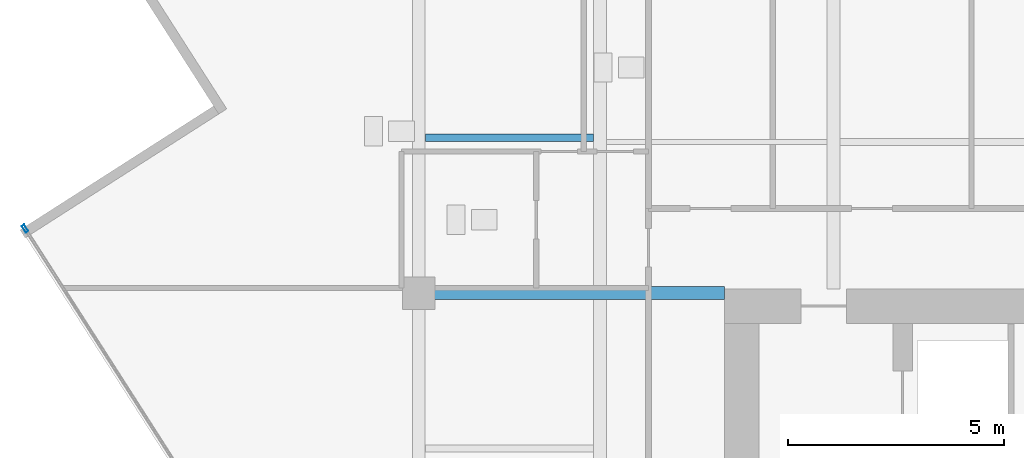
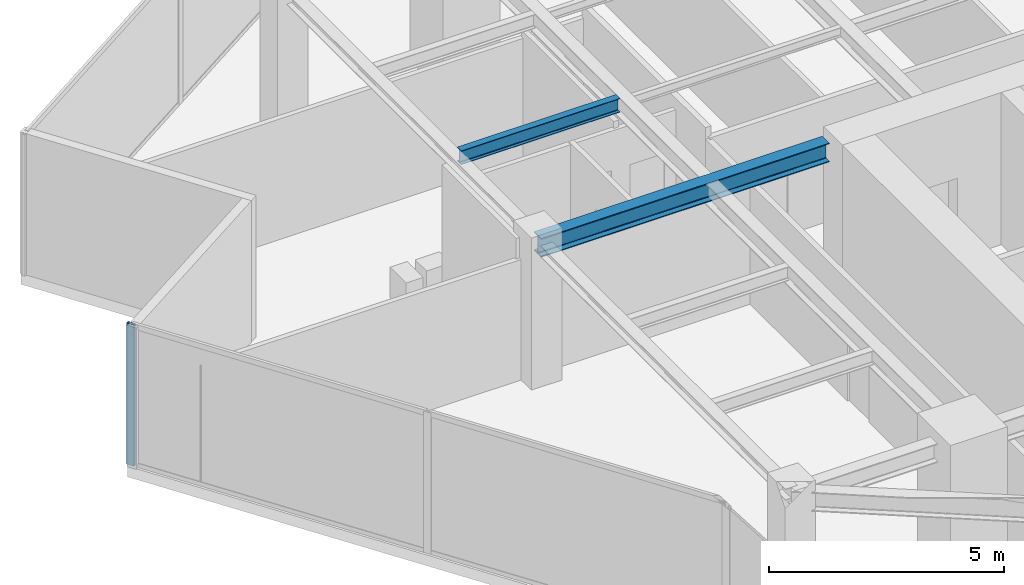
# One storey, part 6 of 20: 2 beams, 1 member, 1 element without a shape of its own.
"""IFC4 building model written with IfcOpenShell, lengths in metres."""

import ifcopenshell
import ifcopenshell.guid

model = None  # the IFC model being written
_history = None  # IfcOwnerHistory: only IFC2X3 demands one
_inside = {}  # id of a spatial element -> (the spatial element, [elements in it])
_under = {}  # id of a project, library or spatial element -> (it, [spatial elements below it])
_declared = {}  # id of a project -> (the project, [libraries it declares])
_typed = {}  # id of a type object -> (the type object, [elements of that type])
_made_of = {}  # id of a material, layer set ... -> (it, [elements and type objects made of it])


def new_model(schema):
    """Start an empty IFC model of exactly this schema.

    Asked for "IFC4X3", IfcOpenShell would pick the latest addendum, in which some entities
    have other attributes; the version numbers below select the first issue.
    IFC2X3 requires an IfcOwnerHistory on every rooted entity: one is made here for all.
    """
    global model, _history
    if schema == "IFC4X3":
        model = ifcopenshell.file(schema_version=(4, 3, 0, 0))
    else:
        model = ifcopenshell.file(schema=schema)
    _inside.clear()
    _under.clear()
    _declared.clear()
    _typed.clear()
    _made_of.clear()
    _history = None
    if model.schema == "IFC2X3":
        org = make("IfcOrganization", Name="unknown")
        user = make(
            "IfcPersonAndOrganization",
            ThePerson=make("IfcPerson", FamilyName="unknown"),
            TheOrganization=org,
        )
        app = make(
            "IfcApplication",
            ApplicationDeveloper=org,
            Version="unknown",
            ApplicationFullName="unknown",
            ApplicationIdentifier="unknown",
        )
        _history = make(
            "IfcOwnerHistory",
            OwningUser=user,
            OwningApplication=app,
            ChangeAction="ADDED",
            CreationDate=0,
        )
    return model


def make(cls, **values):
    """One entity of the class cls with the attributes given. An attribute that is None is left unset."""
    return model.create_entity(
        cls, **{name: value for name, value in values.items() if value is not None}
    )


def rooted(cls, **values):
    """An entity with a GlobalId (a new one), such as an element, a storey or a relation."""
    return make(cls, GlobalId=ifcopenshell.guid.new(), OwnerHistory=_history, **values)


def si_unit(unit_type, name, prefix=None):
    """IfcSIUnit, for example si_unit("LENGTHUNIT", "METRE", prefix="MILLI")."""
    return make("IfcSIUnit", UnitType=unit_type, Prefix=prefix, Name=name)


def assignment(units):
    """IfcUnitAssignment: the units of a project."""
    return None if units is None else make("IfcUnitAssignment", Units=units)


def point(xyz):
    """IfcCartesianPoint."""
    return None if xyz is None else make("IfcCartesianPoint", Coordinates=xyz)


def direction(xyz):
    """IfcDirection."""
    return None if xyz is None else make("IfcDirection", DirectionRatios=xyz)


def frame(location, z_axis=None, x_axis=None):
    """IfcAxis2Placement3D, a coordinate frame: its origin and axes. An axis left out is left unset."""
    return make(
        "IfcAxis2Placement3D",
        Location=point(location),
        Axis=direction(z_axis),
        RefDirection=direction(x_axis),
    )


def frame_2d(location, x_axis=None):
    """IfcAxis2Placement2D, a coordinate frame in the plane: its origin and x axis."""
    return make(
        "IfcAxis2Placement2D", Location=point(location), RefDirection=direction(x_axis)
    )


def origin():
    """The frame at (0, 0, 0) with its axes left unset."""
    return frame((0.0, 0.0, 0.0))


def origin_2d():
    """The frame at (0, 0) in the plane with its x axis left unset."""
    return frame_2d((0.0, 0.0))


def place(relative_to, where):
    """IfcLocalPlacement: puts the frame where relative to a parent placement (None: the world)."""
    return make(
        "IfcLocalPlacement", PlacementRelTo=relative_to, RelativePlacement=where
    )


def context(
    kind, dimensions, precision=None, world=None, true_north=None, identifier=None
):
    """IfcGeometricRepresentationContext, for example the 3D "Model" context."""
    return make(
        "IfcGeometricRepresentationContext",
        ContextIdentifier=identifier,
        ContextType=kind,
        CoordinateSpaceDimension=dimensions,
        Precision=precision,
        WorldCoordinateSystem=world,
        TrueNorth=true_north,
    )


def subcontext(parent, identifier, kind, view, scale=None):
    """IfcGeometricRepresentationSubContext, for example "Body" below "Model"."""
    return make(
        "IfcGeometricRepresentationSubContext",
        ContextIdentifier=identifier,
        ContextType=kind,
        ParentContext=parent,
        TargetScale=scale,
        TargetView=view,
    )


def project(units=None, contexts=None):
    """IfcProject with its units and contexts."""
    return rooted(
        "IfcProject",
        Name="project",
        RepresentationContexts=contexts,
        UnitsInContext=assignment(units),
    )


def spatial(cls, under=None, at=None, **own):
    """A site, building, storey or space (cls), placed at a placement, below another one or the project."""
    s = rooted(cls, ObjectPlacement=at, **own)
    if under is not None:
        _under.setdefault(under.id(), (under, []))[1].append(s)
    return s


def profile(cls, at=None, kind="AREA", **sizes):
    """A parametric profile (cls). Its sizes go by their IFC names, for example OverallWidth=200.0."""
    return make(cls, ProfileType=kind, Position=at, **sizes)


def hollow_rectangle(**sizes):
    """IfcRectangleHollowProfileDef."""
    return profile("IfcRectangleHollowProfileDef", **sizes)


def i_section(**sizes):
    """IfcIShapeProfileDef."""
    return profile("IfcIShapeProfileDef", **sizes)


def extrude(swept, where, along, depth):
    """IfcExtrudedAreaSolid: the profile swept, set in the frame where, extruded along a direction by depth."""
    return make(
        "IfcExtrudedAreaSolid",
        SweptArea=swept,
        Position=where,
        ExtrudedDirection=direction(along),
        Depth=depth,
    )


def shape(context_of_items, identifier, shape_type, items):
    """IfcShapeRepresentation: the items that make up one representation, for example the "Body"."""
    return make(
        "IfcShapeRepresentation",
        ContextOfItems=context_of_items,
        RepresentationIdentifier=identifier,
        RepresentationType=shape_type,
        Items=items,
    )


def source(mapping_origin, context_of_items, identifier, shape_type, items):
    """IfcRepresentationMap: a shape defined once, which mapped items show again and again."""
    return make(
        "IfcRepresentationMap",
        MappingOrigin=mapping_origin,
        MappedRepresentation=shape(context_of_items, identifier, shape_type, items),
    )


def transform(
    local_origin,
    x_axis=None,
    y_axis=None,
    z_axis=None,
    scale=None,
    scale2=None,
    scale3=None,
    uniform=True,
):
    """IfcCartesianTransformationOperator3D, or its non-uniform kind. x_axis, y_axis, z_axis: its Axis1, 2, 3."""
    if uniform:
        return make(
            "IfcCartesianTransformationOperator3D",
            Axis1=direction(x_axis),
            Axis2=direction(y_axis),
            LocalOrigin=point(local_origin),
            Scale=scale,
            Axis3=direction(z_axis),
        )
    return make(
        "IfcCartesianTransformationOperator3DnonUniform",
        Axis1=direction(x_axis),
        Axis2=direction(y_axis),
        LocalOrigin=point(local_origin),
        Scale=scale,
        Axis3=direction(z_axis),
        Scale2=scale2,
        Scale3=scale3,
    )


def mapped(mapping_source, mapping_target):
    """IfcMappedItem: shows the shape of a source again, moved by a transform."""
    return make(
        "IfcMappedItem", MappingSource=mapping_source, MappingTarget=mapping_target
    )


def material(Name=None, Category=None):
    """IfcMaterial."""
    return make("IfcMaterial", Name=Name, Category=Category)


def material_profile(
    of_material, cross_section, Name=None, Category=None, Priority=None
):
    """IfcMaterialProfile: a cross section and its material."""
    return make(
        "IfcMaterialProfile",
        Name=Name,
        Material=of_material,
        Profile=cross_section,
        Priority=Priority,
        Category=Category,
    )


def profile_set(profiles, Name=None, composite=None):
    """IfcMaterialProfileSet."""
    return make(
        "IfcMaterialProfileSet",
        Name=Name,
        MaterialProfiles=profiles,
        CompositeProfile=composite,
    )


def made_of(thing, what):
    """Note that an element or type object is made of a material, layer set ...; save() writes the relation."""
    if what is not None:
        _made_of.setdefault(what.id(), (what, []))[1].append(thing)
    return thing


def type_object(cls, material=None, **own):
    """A type object (cls), such as IfcWallType, which elements share."""
    return made_of(rooted(cls, **own), material)


def type_shapes(of_type, sources):
    """Give a type object the sources (RepresentationMaps) that its elements show as mapped items."""
    of_type.RepresentationMaps = sources


def element(
    cls,
    number,
    at=None,
    inside=None,
    cuts=None,
    type_object=None,
    material=None,
    context=None,
    identifier="Body",
    shape_type=None,
    held_by="IfcProductDefinitionShape",
    body=None,
    shapes=None,
    **own,
):
    """One element of the class cls, such as IfcWall. Its Tag is "e" and its number.

    at: its placement. inside: the storey or other place that contains it. cuts: it is an
    opening in that element (IfcRelVoidsElement). A single representation is given by context,
    identifier, shape_type and body (its items); several are given by shapes. held_by: the class
    of the entity that holds the representations. save() writes the other relations.
    """
    e = rooted(cls, Tag="e%d" % number, ObjectPlacement=at, **own)
    if body is not None:
        shapes = [shape(context, identifier, shape_type, body)]
    if shapes is not None:
        e.Representation = make(held_by, Representations=shapes)
    if inside is not None:
        _inside.setdefault(inside.id(), (inside, []))[1].append(e)
    if cuts is not None:
        rooted(
            "IfcRelVoidsElement", RelatingBuildingElement=cuts, RelatedOpeningElement=e
        )
    if type_object is not None:
        _typed.setdefault(type_object.id(), (type_object, []))[1].append(e)
    return made_of(e, material)


def aggregate(whole, parts):
    """IfcRelAggregates: a whole, such as a stair, and the parts it consists of."""
    return rooted("IfcRelAggregates", RelatingObject=whole, RelatedObjects=parts)


def save(model, path):
    """Write the relations noted so far, then the file.

    IfcRelAggregates (storeys below a building ...), IfcRelContainedInSpatialStructure (elements
    in a storey), IfcRelDefinesByType, IfcRelAssociatesMaterial and IfcRelDeclares: one each for
    every whole, place, type object, material and project.
    """
    for whole, parts in _under.values():
        aggregate(whole, parts)
    for where, things in _inside.values():
        rooted(
            "IfcRelContainedInSpatialStructure",
            RelatedElements=things,
            RelatingStructure=where,
        )
    for kind, things in _typed.values():
        rooted("IfcRelDefinesByType", RelatedObjects=things, RelatingType=kind)
    for what, things in _made_of.values():
        rooted("IfcRelAssociatesMaterial", RelatedObjects=things, RelatingMaterial=what)
    for by, libraries in _declared.values():
        rooted("IfcRelDeclares", RelatingContext=by, RelatedDefinitions=libraries)
    model.write(path)


model = new_model("IFC4")

# Units and contexts
model_context = context("Model", 3, precision=1e-05, world=origin(), true_north=direction((0.0, 1.0)))
body_context = subcontext(model_context, "Body", "Model", "MODEL_VIEW")
ifc_project = project(units=[si_unit("LENGTHUNIT", "METRE"), si_unit("AREAUNIT", "SQUARE_METRE"), si_unit("VOLUMEUNIT", "CUBIC_METRE"), si_unit("PLANEANGLEUNIT", "RADIAN"), si_unit("MASSUNIT", "GRAM", prefix="KILO")], contexts=[model_context])

# Site, building, storey
site_placement = place(None, origin())
site = spatial("IfcSite", under=ifc_project, at=site_placement, CompositionType="ELEMENT")
building_placement = place(site_placement, origin())
building = spatial("IfcBuilding", under=site, at=building_placement, Name="Krantzveldt Concourse Tower", CompositionType="ELEMENT")
storey_placement = place(building_placement, frame((0.0, 0.0, 291.10009765625)))
storey = spatial("IfcBuildingStorey", under=building, at=storey_placement, Name="L71", CompositionType="ELEMENT", Elevation=291.10009765625)

# Beams
ifc_material_1 = material(Name="Steel S355JR", Category="steel")
ifc_material_profile_1 = material_profile(ifc_material_1, i_section(OverallWidth=0.300048828125, OverallDepth=0.489990234375, WebThickness=0.011962890625, FlangeThickness=0.02294921875, FilletRadius=0.027099609375, at=origin_2d()), Name="Steel S355JR", Category="steel")
ifc_profile_set_1 = profile_set([ifc_material_profile_1], Name="Steel S355JR - HEA 500")
beam_type_1 = type_object("IfcBeamType", Name="BM-B-HEA500", PredefinedType="BEAM", material=ifc_profile_set_1)
shared_shape_1 = source(origin(), body_context, "Body", "SweptSolid", [
    extrude(i_section(OverallWidth=0.300048828125, OverallDepth=0.489990234375, WebThickness=0.011962890625, FlangeThickness=0.02294921875, FilletRadius=0.027099609375, at=origin_2d()), origin(), (0.0, 0.0, 1.0), 7.080078125),
])
type_shapes(beam_type_1, [shared_shape_1])
beam_1_placement = place(storey_placement, frame((21.0, 26.699951171875, 3.4248046875), z_axis=(1.0, 0.0, 0.0), x_axis=(0.0, 1.0, 0.0)))
element("IfcBeam", 1, at=beam_1_placement, inside=storey, type_object=beam_type_1, Name="L71 Tower Girder BG-CW2", PredefinedType="BEAM", context=body_context, shape_type="MappedRepresentation", body=[
    mapped(shared_shape_1, transform((0.0, 0.0, 0.0), x_axis=(1.0, 0.0, 0.0), y_axis=(0.0, 1.0, 0.0), z_axis=(0.0, 0.0, 1.0), scale=1.0)),
])
ifc_material_profile_2 = material_profile(ifc_material_1, i_section(OverallWidth=0.169921875, OverallDepth=0.360107421875, WebThickness=0.008056640625, FlangeThickness=0.0126953125, FilletRadius=0.01806640625, at=origin_2d()), Name="Steel S355JR", Category="steel")
ifc_profile_set_2 = profile_set([ifc_material_profile_2], Name="Steel S355JR - IPE 360")
beam_type_2 = type_object("IfcBeamType", Name="BM-J-IPE360", PredefinedType="JOIST", material=ifc_profile_set_2)
shared_shape_2 = source(origin(), body_context, "Body", "SweptSolid", [
    extrude(i_section(OverallWidth=0.169921875, OverallDepth=0.360107421875, WebThickness=0.008056640625, FlangeThickness=0.0126953125, FilletRadius=0.01806640625, at=origin_2d()), origin(), (0.0, 0.0, 1.0), 3.900146484375),
])
type_shapes(beam_type_2, [shared_shape_2])
beam_2_placement = place(storey_placement, frame((21.14990234375, 30.300048828125, 3.489990234375), z_axis=(1.0, 0.0, 0.0), x_axis=(0.0, 1.0, 0.0)))
element("IfcBeam", 2, at=beam_2_placement, inside=storey, type_object=beam_type_2, Name="L71 Secondary Floor Joist JW-3", PredefinedType="JOIST", context=body_context, shape_type="MappedRepresentation", body=[
    mapped(shared_shape_2, transform((0.0, 0.0, 0.0), x_axis=(1.0, 0.0, 0.0), y_axis=(0.0, 1.0, 0.0), z_axis=(0.0, 0.0, 1.0), scale=1.0)),
])

# Curtain wall, member
ifc_material_2 = material(Name="Anodised aluminium 6063-T6", Category="aluminium")
curtain_wall_type = type_object("IfcCurtainWallType", Name="CW4", PredefinedType="USERDEFINED", material=ifc_material_2)
curtain_wall_placement = place(storey_placement, origin())
curtain_wall = element("IfcCurtainWall", 3, at=curtain_wall_placement, inside=storey, type_object=curtain_wall_type, Name="CW-L71-F04", ObjectType="UNITISED CURTAIN WALL", PredefinedType="USERDEFINED")
ifc_material_profile_3 = material_profile(ifc_material_2, hollow_rectangle(XDim=0.070068359375, YDim=0.179931640625, WallThickness=0.0048828125, at=origin_2d()), Name="Anodised aluminium 6063-T6", Category="aluminium")
ifc_profile_set_3 = profile_set([ifc_material_profile_3], Name="Anodised aluminium 6063-T6 - ALU-MULL 180x70x5")
member_type = type_object("IfcMemberType", Name="CW-MUL-180", PredefinedType="MULLION", material=ifc_profile_set_3)
shared_shape_3 = source(origin(), body_context, "Body", "SweptSolid", [
    extrude(hollow_rectangle(XDim=0.070068359375, YDim=0.179931640625, WallThickness=0.0048828125, at=origin_2d()), origin(), (0.0, 0.0, 1.0), 3.669921875),
])
type_shapes(member_type, [shared_shape_3])
member_placement = place(storey_placement, frame((11.87744140625, 28.195556640625, 0.0), z_axis=(0.0, 0.0, 1.0), x_axis=(0.842217243088, 0.53913830827, 0.0)))
member = element("IfcMember", 4, at=member_placement, type_object=member_type, Name="CW-Z56 mullion 1", PredefinedType="MULLION", context=body_context, shape_type="MappedRepresentation", body=[
    mapped(shared_shape_3, transform((0.0, 0.0, 0.0), x_axis=(1.0, 0.0, 0.0), y_axis=(0.0, 1.0, 0.0), z_axis=(0.0, 0.0, 1.0), scale=1.0)),
])
aggregate(curtain_wall, [member])

save(model, "model.ifc")
